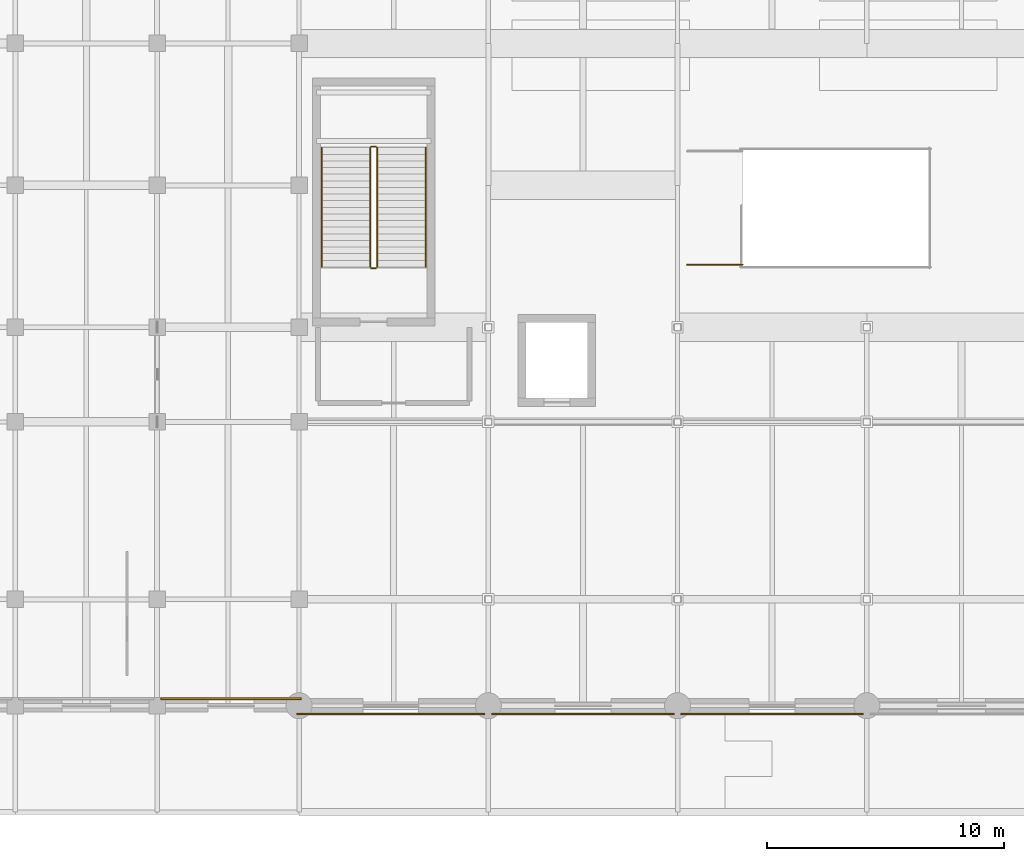
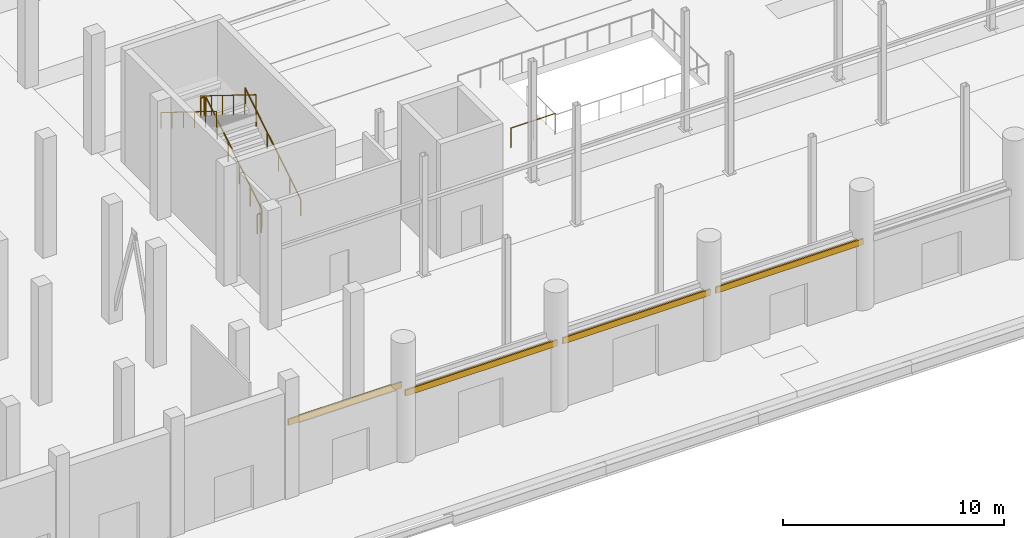
# One storey, part 130 of 140: 7 railings, 4 coverings.
"""IFC4 building model written with IfcOpenShell, lengths in metres."""

from ifc_helpers import new_model, si_unit, direction, frame, origin, origin_2d, place, context, subcontext, project, spatial, rectangle, circle, extrude, material, layer, layer_set, type_object, element, save


model = new_model("IFC4")

# Units and contexts
model_context = context("Model", 3, precision=1e-05, world=origin(), true_north=direction((0.0, 1.0)))
body_context = subcontext(model_context, "Body", "Model", "MODEL_VIEW")
ifc_project = project(units=[si_unit("LENGTHUNIT", "METRE"), si_unit("AREAUNIT", "SQUARE_METRE"), si_unit("VOLUMEUNIT", "CUBIC_METRE"), si_unit("PLANEANGLEUNIT", "RADIAN"), si_unit("MASSUNIT", "GRAM", prefix="KILO")], contexts=[model_context])

# Site, building, storey
site_placement = place(None, origin())
site = spatial("IfcSite", under=ifc_project, at=site_placement, CompositionType="ELEMENT")
building_placement = place(site_placement, origin())
building = spatial("IfcBuilding", under=site, at=building_placement, Name="Verrall Gate Interchange", CompositionType="ELEMENT")
storey_placement = place(building_placement, origin())
storey = spatial("IfcBuildingStorey", under=building, at=storey_placement, Name="L01", CompositionType="ELEMENT", Elevation=0.0)

# Coverings
ifc_material_1 = material(Name="Tyndall Dolomitic Limestone Ashlar Cavity Assembly (U=0.18)", Category="masonry")
ifc_layer = layer(ifc_material_1, 0.080078125)
ifc_layer_set = layer_set([ifc_layer], Name="Tyndall Dolomitic Limestone Ashlar Cavity Assembly (U=0.18)")
covering_type = type_object("IfcCoveringType", Name="CLD-01 Tyndall Cornice Cladding Band", PredefinedType="CLADDING", material=ifc_layer_set)
covering_1_placement = place(storey_placement, frame((33.12109375, 0.300048828125, 3.56298828125), z_axis=(0.0, 0.0, 1.0), x_axis=(-1.0, 0.0, 0.0)))
element("IfcCovering", 1, at=covering_1_placement, inside=storey, type_object=covering_type, Name="Classical Tyndall Cornice Band 001", PredefinedType="CLADDING", context=body_context, shape_type="SweptSolid", body=[
    extrude(rectangle(XDim=5.9580078125, YDim=0.080078125, at=origin_2d()), origin(), (0.0, 0.0, 1.0), 0.340087890625),
])
covering_2_placement = place(storey_placement, frame((39.87890625, -0.35009765625, 3.56298828125), z_axis=(0.0, 0.0, 1.0), x_axis=(1.0, 0.0, 0.0)))
element("IfcCovering", 2, at=covering_2_placement, inside=storey, type_object=covering_type, Name="Classical Tyndall Cornice Band 007", PredefinedType="CLADDING", context=body_context, shape_type="SweptSolid", body=[
    extrude(rectangle(XDim=7.9580078125, YDim=0.080078125, at=origin_2d()), origin(), (0.0, 0.0, 1.0), 0.340087890625),
])
for number, where, z_axis, x_axis, name in (
    (3, (48.0, -0.35009765625, 3.56298828125), (0.0, 0.0, 1.0), (1.0, 0.0, 0.0), "Classical Tyndall Cornice Band 008"),
    (4, (56.0, -0.35009765625, 3.56298828125), (0.0, 0.0, 1.0), (1.0, 0.0, 0.0), "Classical Tyndall Cornice Band 009"),
):
    element("IfcCovering", number, at=place(storey_placement, frame(where, z_axis=z_axis, x_axis=x_axis)), inside=storey, type_object=covering_type, Name=name, PredefinedType="CLADDING", context=body_context, shape_type="SweptSolid", body=[
        extrude(rectangle(XDim=7.716064453125, YDim=0.080078125, at=origin_2d()), origin(), (0.0, 0.0, 1.0), 0.340087890625),
    ])

# Railings
ifc_material_2 = material(Name="Brushed Stainless-Steel Guardrail and Handrail System", Category="steel")
railing_type_1 = type_object("IfcRailingType", Name="GR-02 Interior Atrium and Stair Guardrail 1100", PredefinedType="GUARDRAIL", material=ifc_material_2)
railing_1_placement = place(storey_placement, frame((39.300048828125, 18.550048828125, 0.173583984375)))
element("IfcRailing", 5, at=railing_1_placement, inside=storey, type_object=railing_type_1, Name="L01 ST-05 stair guard 1", PredefinedType="GUARDRAIL", context=body_context, shape_type="SweptSolid", body=[
    extrude(circle(Radius=0.02392578125, at=origin_2d()), frame((0.0, 0.0, 1.076171875), z_axis=(0.0, 0.849778785312, 0.527139465448), x_axis=(-1.0, 0.0, 0.0)), (0.0, 0.0, 1.0), 5.930908203125),
    extrude(circle(Radius=0.02099609375, at=origin_2d()), origin(), (0.0, 0.0, 1.0), 1.052001953125),
    extrude(circle(Radius=0.02099609375, at=origin_2d()), frame((0.0, 1.008056640625, 0.625244140625)), (0.0, 0.0, 1.0), 1.052001953125),
    extrude(circle(Radius=0.02099609375, at=origin_2d()), frame((0.0, 2.01611328125, 1.25048828125)), (0.0, 0.0, 1.0), 1.052001953125),
    extrude(circle(Radius=0.02099609375, at=origin_2d()), frame((0.0, 3.02392578125, 1.8759765625)), (0.0, 0.0, 1.0), 1.052001953125),
    extrude(circle(Radius=0.02099609375, at=origin_2d()), frame((0.0, 4.031982421875, 2.501220703125)), (0.0, 0.0, 1.0), 1.052001953125),
    extrude(circle(Radius=0.02099609375, at=origin_2d()), frame((0.0, 5.0400390625, 3.12646484375)), (0.0, 0.0, 1.0), 1.052001953125),
])
railing_2_placement = place(storey_placement, frame((39.25, 23.639892578125, 3.300048828125)))
element("IfcRailing", 6, at=railing_2_placement, inside=storey, type_object=railing_type_1, Name="L01 ST-05 stair guard 2", PredefinedType="GUARDRAIL", context=body_context, shape_type="SweptSolid", body=[
    extrude(circle(Radius=0.02392578125, at=origin_2d()), frame((0.0, 0.0, 1.076171875), z_axis=(-1.0, 0.0, 0.0), x_axis=(0.0, -1.0, 0.0)), (0.0, 0.0, 1.0), 0.199951171875),
    extrude(circle(Radius=0.02099609375, at=origin_2d()), origin(), (0.0, 0.0, 1.0), 1.052001953125),
    extrude(circle(Radius=0.02099609375, at=origin_2d()), frame((-0.199951171875, 0.0, 0.0)), (0.0, 0.0, 1.0), 1.052001953125),
])
railing_3_placement = place(storey_placement, frame((39.0, 23.590087890625, 3.4736328125)))
element("IfcRailing", 7, at=railing_3_placement, inside=storey, type_object=railing_type_1, Name="L01 ST-05 stair guard 3", PredefinedType="GUARDRAIL", context=body_context, shape_type="SweptSolid", body=[
    extrude(circle(Radius=0.02392578125, at=origin_2d()), frame((0.0, 0.0, 1.076171875), z_axis=(0.0, -0.849778785312, 0.527139465448), x_axis=(1.0, 0.0, 0.0)), (0.0, 0.0, 1.0), 5.930908203125),
    extrude(circle(Radius=0.02099609375, at=origin_2d()), origin(), (0.0, 0.0, 1.0), 1.052001953125),
    extrude(circle(Radius=0.02099609375, at=origin_2d()), frame((0.0, -1.008056640625, 0.625244140625)), (0.0, 0.0, 1.0), 1.052001953125),
    extrude(circle(Radius=0.02099609375, at=origin_2d()), frame((0.0, -2.01611328125, 1.25048828125)), (0.0, 0.0, 1.0), 1.052001953125),
    extrude(circle(Radius=0.02099609375, at=origin_2d()), frame((0.0, -3.02392578125, 1.8759765625)), (0.0, 0.0, 1.0), 1.052001953125),
    extrude(circle(Radius=0.02099609375, at=origin_2d()), frame((0.0, -4.031982421875, 2.501220703125)), (0.0, 0.0, 1.0), 1.052001953125),
    extrude(circle(Radius=0.02099609375, at=origin_2d()), frame((0.0, -5.0400390625, 3.12646484375)), (0.0, 0.0, 1.0), 1.052001953125),
])
railing_4_placement = place(storey_placement, frame((39.25, 18.5, 0.0)))
element("IfcRailing", 8, at=railing_4_placement, inside=storey, type_object=railing_type_1, Name="L01 ST-05 stair guard 4", PredefinedType="GUARDRAIL", context=body_context, shape_type="SweptSolid", body=[
    extrude(circle(Radius=0.02392578125, at=origin_2d()), frame((0.0, 0.0, 1.076171875), z_axis=(-1.0, 0.0, 0.0), x_axis=(0.0, -1.0, 0.0)), (0.0, 0.0, 1.0), 0.199951171875),
    extrude(circle(Radius=0.02099609375, at=origin_2d()), origin(), (0.0, 0.0, 1.0), 1.052001953125),
    extrude(circle(Radius=0.02099609375, at=origin_2d()), frame((-0.199951171875, 0.0, 0.0)), (0.0, 0.0, 1.0), 1.052001953125),
])
railing_5_placement = place(storey_placement, frame((52.39990234375, 18.64990234375, 0.0)))
element("IfcRailing", 9, at=railing_5_placement, inside=storey, type_object=railing_type_1, Name="L01 ST-10 top well guard 5", PredefinedType="GUARDRAIL", context=body_context, shape_type="SweptSolid", body=[
    extrude(circle(Radius=0.02392578125, at=origin_2d()), frame((0.0, 0.0, 1.076171875), z_axis=(1.0, 0.0, 0.0), x_axis=(0.0, 1.0, 0.0)), (0.0, 0.0, 1.0), 2.35009765625),
    extrude(circle(Radius=0.02099609375, at=origin_2d()), origin(), (0.0, 0.0, 1.0), 1.052001953125),
    extrude(circle(Radius=0.02099609375, at=origin_2d()), frame((1.175048828125, 0.0, 0.0)), (0.0, 0.0, 1.0), 1.052001953125),
    extrude(circle(Radius=0.02099609375, at=origin_2d()), frame((2.35009765625, 0.0, 0.0)), (0.0, 0.0, 1.0), 1.052001953125),
])
ifc_material_3 = material(Name="Brushed Stainless-Steel Guardrail and Handrail System", Category="steel")
railing_type_2 = type_object("IfcRailingType", Name="HR-01 Stair and Ramp Pitch-Line Handrail 920", PredefinedType="HANDRAIL", material=ifc_material_3)
railing_6_placement = place(storey_placement, frame((41.35009765625, 18.550048828125, 0.173583984375)))
element("IfcRailing", 10, at=railing_6_placement, inside=storey, type_object=railing_type_2, Name="L01 ST-05 stair handrail 1", PredefinedType="HANDRAIL", context=body_context, shape_type="SweptSolid", body=[
    extrude(circle(Radius=0.02392578125, at=origin_2d()), frame((0.0, 0.0, 0.8759765625), z_axis=(0.0, 0.849778785312, 0.527139465448), x_axis=(-1.0, 0.0, 0.0)), (0.0, 0.0, 1.0), 5.930908203125),
    extrude(circle(Radius=0.02099609375, at=origin_2d()), origin(), (0.0, 0.0, 1.0), 0.851806640625),
    extrude(circle(Radius=0.02099609375, at=origin_2d()), frame((0.0, 1.008056640625, 0.625244140625)), (0.0, 0.0, 1.0), 0.851806640625),
    extrude(circle(Radius=0.02099609375, at=origin_2d()), frame((0.0, 2.01611328125, 1.25048828125)), (0.0, 0.0, 1.0), 0.851806640625),
    extrude(circle(Radius=0.02099609375, at=origin_2d()), frame((0.0, 3.02392578125, 1.8759765625)), (0.0, 0.0, 1.0), 0.851806640625),
    extrude(circle(Radius=0.02099609375, at=origin_2d()), frame((0.0, 4.031982421875, 2.501220703125)), (0.0, 0.0, 1.0), 0.851806640625),
    extrude(circle(Radius=0.02099609375, at=origin_2d()), frame((0.0, 5.0400390625, 3.12646484375)), (0.0, 0.0, 1.0), 0.851806640625),
])
railing_7_placement = place(storey_placement, frame((36.949951171875, 23.590087890625, 3.4736328125)))
element("IfcRailing", 11, at=railing_7_placement, inside=storey, type_object=railing_type_2, Name="L01 ST-05 stair handrail 2", PredefinedType="HANDRAIL", context=body_context, shape_type="SweptSolid", body=[
    extrude(circle(Radius=0.02392578125, at=origin_2d()), frame((0.0, 0.0, 0.8759765625), z_axis=(0.0, -0.849778785312, 0.527139465448), x_axis=(1.0, 0.0, 0.0)), (0.0, 0.0, 1.0), 5.930908203125),
    extrude(circle(Radius=0.02099609375, at=origin_2d()), origin(), (0.0, 0.0, 1.0), 0.851806640625),
    extrude(circle(Radius=0.02099609375, at=origin_2d()), frame((0.0, -1.008056640625, 0.625244140625)), (0.0, 0.0, 1.0), 0.851806640625),
    extrude(circle(Radius=0.02099609375, at=origin_2d()), frame((0.0, -2.01611328125, 1.25048828125)), (0.0, 0.0, 1.0), 0.851806640625),
    extrude(circle(Radius=0.02099609375, at=origin_2d()), frame((0.0, -3.02392578125, 1.8759765625)), (0.0, 0.0, 1.0), 0.851806640625),
    extrude(circle(Radius=0.02099609375, at=origin_2d()), frame((0.0, -4.031982421875, 2.501220703125)), (0.0, 0.0, 1.0), 0.851806640625),
    extrude(circle(Radius=0.02099609375, at=origin_2d()), frame((0.0, -5.0400390625, 3.12646484375)), (0.0, 0.0, 1.0), 0.851806640625),
])

save(model, "model.ifc")
